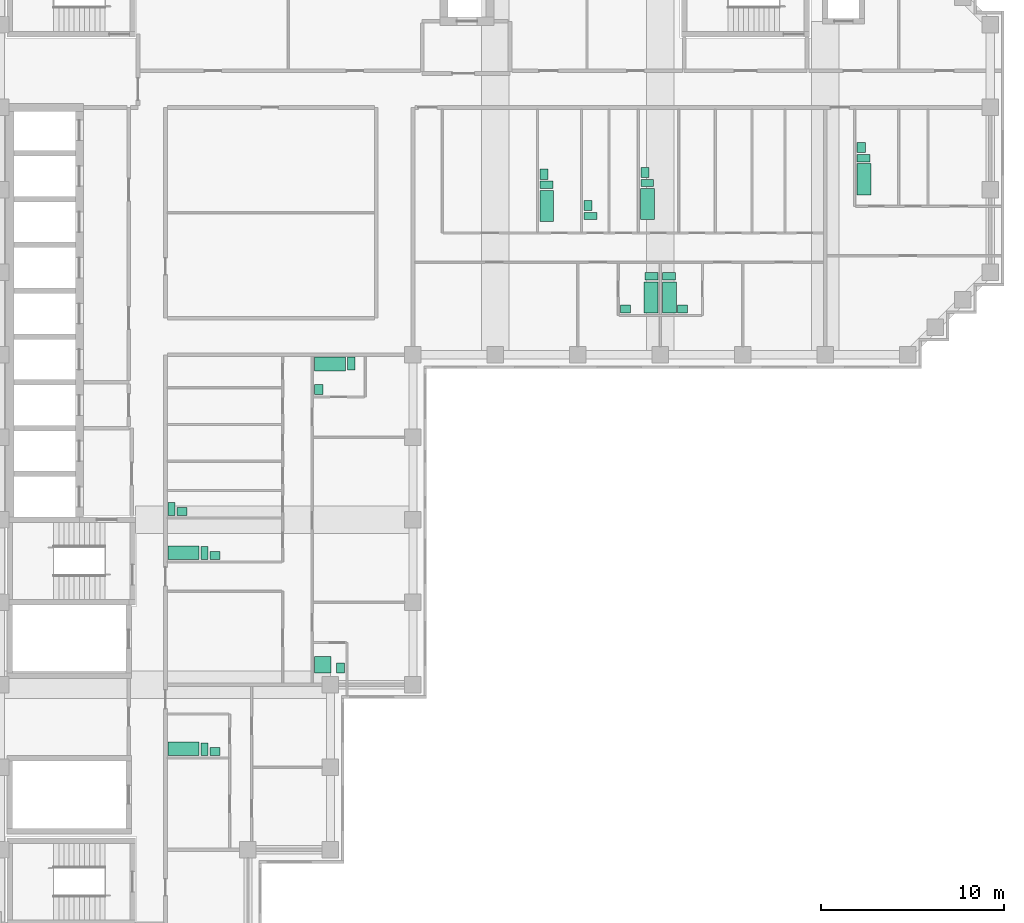
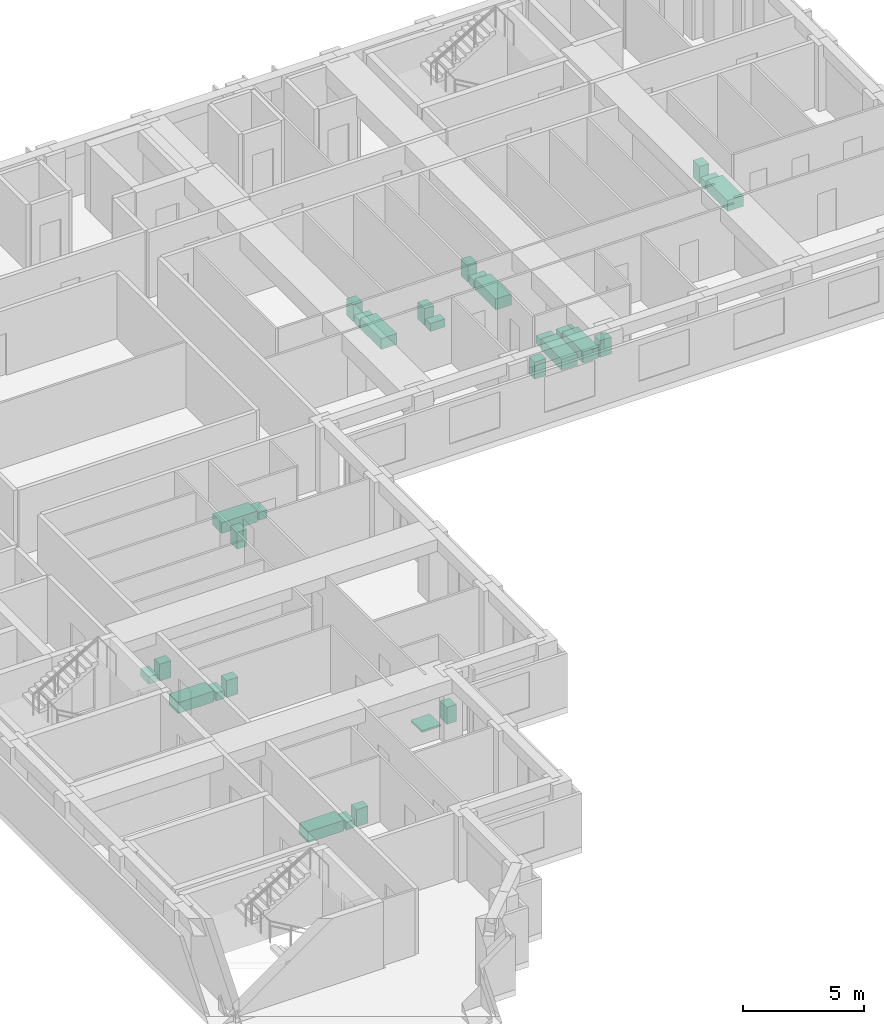
# One storey, part 10 of 10: 30 sanitary terminals.
"""IFC4 building model written with IfcOpenShell, lengths in metres."""

from ifc_helpers import new_model, si_unit, direction, frame, origin, origin_2d, place, context, subcontext, project, spatial, rectangle, extrude, material, type_object, element, save


model = new_model("IFC4")

# Units and contexts
model_context = context("Model", 3, precision=1e-05, world=origin(), true_north=direction((0.0, 1.0)))
body_context = subcontext(model_context, "Body", "Model", "MODEL_VIEW")
ifc_project = project(units=[si_unit("LENGTHUNIT", "METRE"), si_unit("AREAUNIT", "SQUARE_METRE"), si_unit("VOLUMEUNIT", "CUBIC_METRE"), si_unit("PLANEANGLEUNIT", "RADIAN"), si_unit("MASSUNIT", "GRAM", prefix="KILO")], contexts=[model_context])

# Site, building, storey
site_placement = place(None, origin())
site = spatial("IfcSite", under=ifc_project, at=site_placement, CompositionType="ELEMENT")
building_placement = place(site_placement, origin())
building = spatial("IfcBuilding", under=site, at=building_placement, Name="Firuza Court", CompositionType="ELEMENT")
storey_placement = place(building_placement, frame((0.0, 0.0, 200.60009765625)))
storey = spatial("IfcBuildingStorey", under=building, at=storey_placement, Name="L51", CompositionType="ELEMENT", Elevation=200.60009765625)

# Sanitary terminals
ifc_material_1 = material(Name="Vitreous china", Category="ceramic")
sanitary_terminal_type_1 = type_object("IfcSanitaryTerminalType", Name="Fixture Bath", PredefinedType="BATH", material=ifc_material_1)
for number, where, z_axis, x_axis, name in (
    (1, (29.804931640625, 44.1298828125, 0.0), (0.0, 0.0, 1.0), (1.0, 0.0, 0.0), "Bath"),
    (2, (35.304931640625, 44.22998046875, 0.0), (0.0, 0.0, 1.0), (1.0, 0.0, 0.0), "Bath"),
    (3, (35.4951171875, 39.1298828125, 0.0), (0.0, 0.0, 1.0), (1.0, 0.0, 0.0), "Bath"),
    (4, (36.5048828125, 39.1298828125, 0.0), (0.0, 0.0, 1.0), (1.0, 0.0, 0.0), "Bath"),
    (5, (47.10498046875, 45.580078125, 0.0), (0.0, 0.0, 1.0), (1.0, 0.0, 0.0), "Bath"),
):
    element("IfcSanitaryTerminal", number, at=place(storey_placement, frame(where, z_axis=z_axis, x_axis=x_axis)), inside=storey, type_object=sanitary_terminal_type_1, Name=name, PredefinedType="BATH", context=body_context, shape_type="SweptSolid", body=[
        extrude(rectangle(XDim=0.75, YDim=1.699951171875, at=origin_2d()), origin(), (0.0, 0.0, 1.0), 0.550048828125),
    ])
for number, where, z_axis, x_axis, name in (
    (6, (9.97998046875, 25.205078125, 0.0), (0.0, 0.0, 1.0), (1.0, 0.0, 0.0), "Bath"),
    (7, (17.97998046875, 35.4951171875, 0.0), (0.0, 0.0, 1.0), (1.0, 0.0, 0.0), "Bath"),
    (8, (9.97998046875, 14.5048828125, 0.0), (0.0, 0.0, 1.0), (1.0, 0.0, 0.0), "Bath"),
):
    element("IfcSanitaryTerminal", number, at=place(storey_placement, frame(where, z_axis=z_axis, x_axis=x_axis)), inside=storey, type_object=sanitary_terminal_type_1, Name=name, PredefinedType="BATH", context=body_context, shape_type="SweptSolid", body=[
        extrude(rectangle(XDim=1.699951171875, YDim=0.75, at=origin_2d()), origin(), (0.0, 0.0, 1.0), 0.550048828125),
    ])
ifc_material_2 = material(Name="Vitreous china", Category="ceramic")
sanitary_terminal_type_2 = type_object("IfcSanitaryTerminalType", Name="Fixture Shower tray", PredefinedType="SHOWER", material=ifc_material_2)
sanitary_terminal_1_placement = place(storey_placement, frame((17.580078125, 19.080078125, -0.000244140625), z_axis=(0.0, 0.0, 1.0), x_axis=(1.0, 0.0, 0.0)))
element("IfcSanitaryTerminal", 9, at=sanitary_terminal_1_placement, inside=storey, type_object=sanitary_terminal_type_2, Name="Shower tray", PredefinedType="SHOWER", context=body_context, shape_type="SweptSolid", body=[
    extrude(rectangle(XDim=0.89990234375, YDim=0.89990234375, at=origin_2d()), origin(), (0.0, 0.0, 1.0), 0.10009765625),
])
ifc_material_3 = material(Name="Vitreous china", Category="ceramic")
sanitary_terminal_type_3 = type_object("IfcSanitaryTerminalType", Name="Fixture WC pan", PredefinedType="TOILETPAN", material=ifc_material_3)
for number, where, z_axis, x_axis, name in (
    (10, (29.780029296875, 45.280029296875, 0.0), (0.0, 0.0, 1.0), (1.0, 0.0, 0.0), "WC pan"),
    (11, (32.179931640625, 43.580078125, 0.0), (0.0, 0.0, 1.0), (1.0, 0.0, 0.0), "WC pan"),
    (12, (35.280029296875, 45.3798828125, 0.0), (0.0, 0.0, 1.0), (1.0, 0.0, 0.0), "WC pan"),
    (13, (35.52001953125, 40.280029296875, 0.0), (0.0, 0.0, 1.0), (1.0, 0.0, 0.0), "WC pan"),
    (14, (36.47998046875, 40.280029296875, 0.0), (0.0, 0.0, 1.0), (1.0, 0.0, 0.0), "WC pan"),
    (15, (47.080078125, 46.72998046875, 0.0), (0.0, 0.0, 1.0), (1.0, 0.0, 0.0), "WC pan"),
):
    element("IfcSanitaryTerminal", number, at=place(storey_placement, frame(where, z_axis=z_axis, x_axis=x_axis)), inside=storey, type_object=sanitary_terminal_type_3, Name=name, PredefinedType="TOILETPAN", context=body_context, shape_type="SweptSolid", body=[
        extrude(rectangle(XDim=0.699951171875, YDim=0.39990234375, at=origin_2d()), origin(), (0.0, 0.0, 1.0), 0.39990234375),
    ])
for number, where, z_axis, x_axis, name in (
    (16, (11.1298828125, 25.179931640625, 0.0), (0.0, 0.0, 1.0), (1.0, 0.0, 0.0), "WC pan"),
    (17, (9.330078125, 27.580078125, 0.0), (0.0, 0.0, 1.0), (1.0, 0.0, 0.0), "WC pan"),
    (18, (19.1298828125, 35.52001953125, 0.0), (0.0, 0.0, 1.0), (1.0, 0.0, 0.0), "WC pan"),
    (19, (11.1298828125, 14.47998046875, 0.0), (0.0, 0.0, 1.0), (1.0, 0.0, 0.0), "WC pan"),
):
    element("IfcSanitaryTerminal", number, at=place(storey_placement, frame(where, z_axis=z_axis, x_axis=x_axis)), inside=storey, type_object=sanitary_terminal_type_3, Name=name, PredefinedType="TOILETPAN", context=body_context, shape_type="SweptSolid", body=[
        extrude(rectangle(XDim=0.39990234375, YDim=0.699951171875, at=origin_2d()), origin(), (0.0, 0.0, 1.0), 0.39990234375),
    ])
ifc_material_4 = material(Name="Vitreous china", Category="ceramic")
sanitary_terminal_type_4 = type_object("IfcSanitaryTerminalType", Name="Fixture Washbasin", PredefinedType="WASHHANDBASIN", material=ifc_material_4)
for number, where, z_axis, x_axis, name in (
    (20, (29.655029296875, 45.85498046875, -0.000244140625), (0.0, 0.0, 1.0), (1.0, 0.0, 0.0), "Washbasin"),
    (21, (32.054931640625, 44.155029296875, -0.000244140625), (0.0, 0.0, 1.0), (1.0, 0.0, 0.0), "Washbasin"),
    (22, (35.155029296875, 45.955078125, -0.000244140625), (0.0, 0.0, 1.0), (1.0, 0.0, 0.0), "Washbasin"),
):
    element("IfcSanitaryTerminal", number, at=place(storey_placement, frame(where, z_axis=z_axis, x_axis=x_axis)), inside=storey, type_object=sanitary_terminal_type_4, Name=name, PredefinedType="WASHHANDBASIN", context=body_context, shape_type="SweptSolid", body=[
        extrude(rectangle(XDim=0.449951171875, YDim=0.550048828125, at=origin_2d()), origin(), (0.0, 0.0, 1.0), 0.85009765625),
    ])
for number, where, z_axis, x_axis, name in (
    (23, (34.10498046875, 38.5048828125, -0.000244140625), (0.0, 0.0, 1.0), (1.0, 0.0, 0.0), "Washbasin"),
    (24, (37.205078125, 38.5048828125, -0.000244140625), (0.0, 0.0, 1.0), (1.0, 0.0, 0.0), "Washbasin"),
):
    element("IfcSanitaryTerminal", number, at=place(storey_placement, frame(where, z_axis=z_axis, x_axis=x_axis)), inside=storey, type_object=sanitary_terminal_type_4, Name=name, PredefinedType="WASHHANDBASIN", context=body_context, shape_type="SweptSolid", body=[
        extrude(rectangle(XDim=0.550048828125, YDim=0.449951171875, at=origin_2d()), origin(), (0.0, 0.0, 1.0), 0.85009765625),
    ])
sanitary_terminal_2_placement = place(storey_placement, frame((46.955078125, 47.304931640625, -0.000244140625), z_axis=(0.0, 0.0, 1.0), x_axis=(1.0, 0.0, 0.0)))
element("IfcSanitaryTerminal", 25, at=sanitary_terminal_2_placement, inside=storey, type_object=sanitary_terminal_type_4, Name="Washbasin", PredefinedType="WASHHANDBASIN", context=body_context, shape_type="SweptSolid", body=[
    extrude(rectangle(XDim=0.449951171875, YDim=0.550048828125, at=origin_2d()), origin(), (0.0, 0.0, 1.0), 0.85009765625),
])
for number, where, z_axis, x_axis, name in (
    (26, (11.705078125, 25.054931640625, -0.000244140625), (0.0, 0.0, 1.0), (1.0, 0.0, 0.0), "Washbasin"),
    (27, (9.905029296875, 27.455078125, -0.000244140625), (0.0, 0.0, 1.0), (1.0, 0.0, 0.0), "Washbasin"),
):
    element("IfcSanitaryTerminal", number, at=place(storey_placement, frame(where, z_axis=z_axis, x_axis=x_axis)), inside=storey, type_object=sanitary_terminal_type_4, Name=name, PredefinedType="WASHHANDBASIN", context=body_context, shape_type="SweptSolid", body=[
        extrude(rectangle(XDim=0.550048828125, YDim=0.449951171875, at=origin_2d()), origin(), (0.0, 0.0, 1.0), 0.85009765625),
    ])
for number, where, z_axis, x_axis, name in (
    (28, (18.544921875, 18.905029296875, -0.000244140625), (0.0, 0.0, 1.0), (1.0, 0.0, 0.0), "Washbasin"),
    (29, (17.35498046875, 34.10498046875, -0.000244140625), (0.0, 0.0, 1.0), (1.0, 0.0, 0.0), "Washbasin"),
):
    element("IfcSanitaryTerminal", number, at=place(storey_placement, frame(where, z_axis=z_axis, x_axis=x_axis)), inside=storey, type_object=sanitary_terminal_type_4, Name=name, PredefinedType="WASHHANDBASIN", context=body_context, shape_type="SweptSolid", body=[
        extrude(rectangle(XDim=0.449951171875, YDim=0.550048828125, at=origin_2d()), origin(), (0.0, 0.0, 1.0), 0.85009765625),
    ])
sanitary_terminal_3_placement = place(storey_placement, frame((11.705078125, 14.35498046875, -0.000244140625), z_axis=(0.0, 0.0, 1.0), x_axis=(1.0, 0.0, 0.0)))
element("IfcSanitaryTerminal", 30, at=sanitary_terminal_3_placement, inside=storey, type_object=sanitary_terminal_type_4, Name="Washbasin", PredefinedType="WASHHANDBASIN", context=body_context, shape_type="SweptSolid", body=[
    extrude(rectangle(XDim=0.550048828125, YDim=0.449951171875, at=origin_2d()), origin(), (0.0, 0.0, 1.0), 0.85009765625),
])

save(model, "model.ifc")
